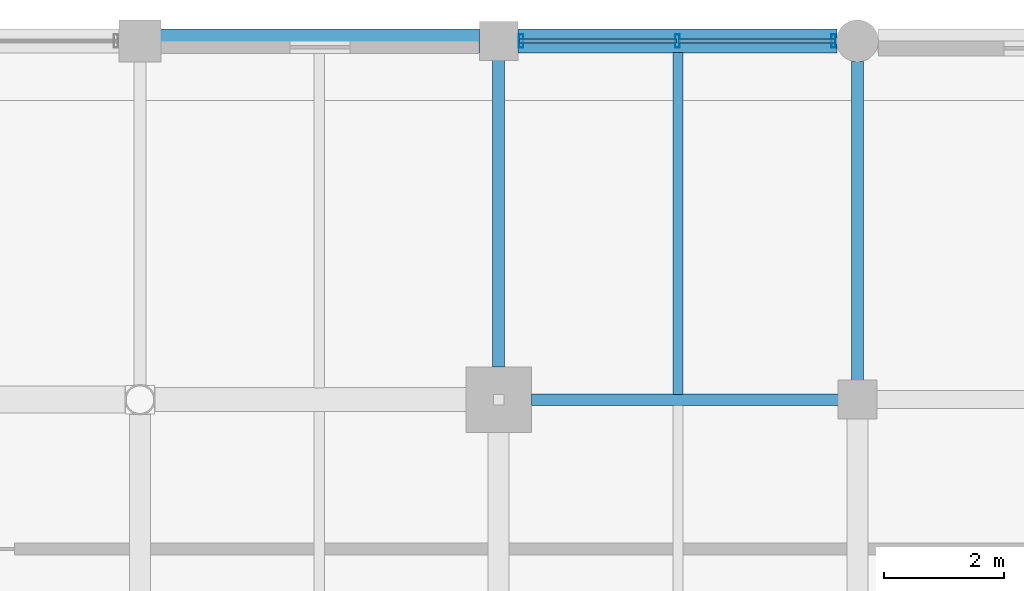
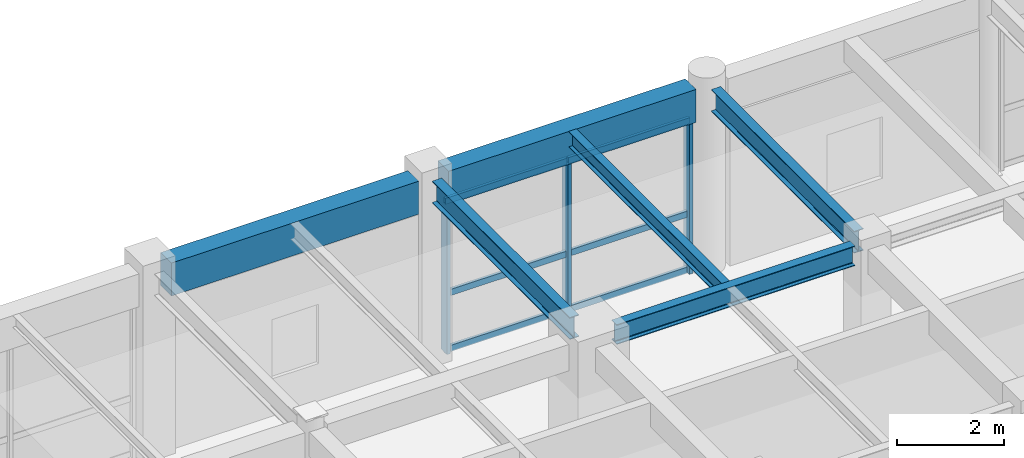
# One storey, part 46 of 116: 9 members, 6 beams, 1 element without a shape of its own.
"""IFC4 building model written with IfcOpenShell, lengths in metres."""

from ifc_helpers import new_model, si_unit, direction, frame, origin, origin_2d, place, context, subcontext, project, spatial, rectangle, hollow_rectangle, i_section, extrude, material, material_profile, profile_set, type_object, element, aggregate, save


model = new_model("IFC4")

# Units and contexts
model_context = context("Model", 3, precision=1e-05, world=origin(), true_north=direction((0.0, 1.0)))
body_context = subcontext(model_context, "Body", "Model", "MODEL_VIEW")
ifc_project = project(units=[si_unit("LENGTHUNIT", "METRE"), si_unit("AREAUNIT", "SQUARE_METRE"), si_unit("VOLUMEUNIT", "CUBIC_METRE"), si_unit("PLANEANGLEUNIT", "RADIAN"), si_unit("MASSUNIT", "GRAM", prefix="KILO"), si_unit("THERMODYNAMICTEMPERATUREUNIT", "KELVIN"), si_unit("POWERUNIT", "WATT")], contexts=[model_context])

# Site, building, storey
site_placement = place(None, origin())
site = spatial("IfcSite", under=ifc_project, at=site_placement, CompositionType="ELEMENT")
building_placement = place(site_placement, origin())
building = spatial("IfcBuilding", under=site, at=building_placement, Name="Phaisarnlok Congress Hotel", CompositionType="ELEMENT")
storey_placement = place(building_placement, frame((0.0, 0.0, 10.5)))
storey = spatial("IfcBuildingStorey", under=building, at=storey_placement, Name="L02", CompositionType="ELEMENT", Elevation=10.5)

# Beams
ifc_material_1 = material(Name="Steel S355", Category="steel")
ifc_material_profile_1 = material_profile(ifc_material_1, i_section(OverallWidth=0.18994140625, OverallDepth=0.449951171875, WebThickness=0.009521484375, FlangeThickness=0.0146484375, FilletRadius=0.02099609375, at=origin_2d()), Name="IPE 450")
ifc_profile_set_1 = profile_set([ifc_material_profile_1], Name="Steel S355")
beam_type_1 = type_object("IfcBeamType", Name="BM-STL-IPE450", PredefinedType="BEAM", material=ifc_profile_set_1)
beam_1_placement = place(storey_placement, frame((120.544921875, 120.0, 4.014892578125), z_axis=(1.0, 0.0, 0.0), x_axis=(0.0, 1.0, 0.0)))
element("IfcBeam", 1, at=beam_1_placement, inside=storey, type_object=beam_type_1, Name="Beam SB-01", PredefinedType="BEAM", context=body_context, shape_type="SweptSolid", body=[
    extrude(i_section(OverallWidth=0.18994140625, OverallDepth=0.449951171875, WebThickness=0.009521484375, FlangeThickness=0.0146484375, FilletRadius=0.02099609375, at=origin_2d()), origin(), (0.0, 0.0, 1.0), 5.135009765625),
])
ifc_material_profile_2 = material_profile(ifc_material_1, i_section(OverallWidth=0.199951171875, OverallDepth=0.5, WebThickness=0.01025390625, FlangeThickness=0.01611328125, FilletRadius=0.02099609375, at=origin_2d()), Name="IPE 500")
ifc_profile_set_2 = profile_set([ifc_material_profile_2], Name="Steel S355")
beam_type_2 = type_object("IfcBeamType", Name="BM-STL-IPE500", PredefinedType="BEAM", material=ifc_profile_set_2)
beam_2_placement = place(storey_placement, frame((120.0, 120.544921875, 3.989990234375), z_axis=(0.0, 1.0, 0.0), x_axis=(-1.0, 0.0, 0.0)))
element("IfcBeam", 2, at=beam_2_placement, inside=storey, type_object=beam_type_2, Name="Beam SB-02", PredefinedType="BEAM", context=body_context, shape_type="SweptSolid", body=[
    extrude(i_section(OverallWidth=0.199951171875, OverallDepth=0.5, WebThickness=0.01025390625, FlangeThickness=0.01611328125, FilletRadius=0.02099609375, at=origin_2d()), origin(), (0.0, 0.0, 1.0), 5.135009765625),
])
beam_3_placement = place(storey_placement, frame((126.0, 120.320068359375, 3.989990234375), z_axis=(0.0, 1.0, 0.0), x_axis=(-1.0, 0.0, 0.0)))
element("IfcBeam", 3, at=beam_3_placement, inside=storey, type_object=beam_type_2, Name="Beam SB-02", PredefinedType="BEAM", context=body_context, shape_type="SweptSolid", body=[
    extrude(i_section(OverallWidth=0.199951171875, OverallDepth=0.5, WebThickness=0.01025390625, FlangeThickness=0.01611328125, FilletRadius=0.02099609375, at=origin_2d()), origin(), (0.0, 0.0, 1.0), 5.3349609375),
])

# Curtain wall, members
ifc_material_2 = material(Name="Thermally Broken Unitised Aluminium & Low-E Glazing", Category="aluminium")
curtain_wall_type = type_object("IfcCurtainWallType", Name="CW-UNIT-16", PredefinedType="NOTDEFINED", material=ifc_material_2)
curtain_wall_placement = place(storey_placement, origin())
curtain_wall = element("IfcCurtainWall", 4, at=curtain_wall_placement, inside=storey, type_object=curtain_wall_type, Name="Unitised curtain wall CW-16 (L02)", PredefinedType="NOTDEFINED")
ifc_material_3 = material(Name="Anodised Aluminium Alloy 6063-T6", Category="aluminium")
ifc_material_profile_3 = material_profile(ifc_material_3, hollow_rectangle(XDim=0.074951171875, YDim=0.219970703125, WallThickness=0.0048828125, at=origin_2d()), Name="ALU-M 75x220x5")
ifc_profile_set_3 = profile_set([ifc_material_profile_3], Name="Anodised Aluminium Alloy 6063-T6")
member_type_1 = type_object("IfcMemberType", Name="CWM-220", PredefinedType="MULLION", material=ifc_profile_set_3)
member_1_placement = place(storey_placement, frame((125.60009765625, 126.0, 0.0), z_axis=(0.0, 0.0, 1.0), x_axis=(-1.0, 0.0, 0.0)))
member_1 = element("IfcMember", 5, at=member_1_placement, type_object=member_type_1, Name="Curtain wall mullion CWM-02", PredefinedType="MULLION", context=body_context, shape_type="SweptSolid", body=[
    extrude(hollow_rectangle(XDim=0.074951171875, YDim=0.219970703125, WallThickness=0.0048828125, at=origin_2d()), origin(), (0.0, 0.0, 1.0), 3.489990234375),
])
member_2_placement = place(storey_placement, frame((122.987548828125, 126.0, 0.0), z_axis=(0.0, 0.0, 1.0), x_axis=(-1.0, 0.0, 0.0)))
member_2 = element("IfcMember", 6, at=member_2_placement, type_object=member_type_1, Name="Curtain wall mullion CWM-02", PredefinedType="MULLION", context=body_context, shape_type="SweptSolid", body=[
    extrude(hollow_rectangle(XDim=0.074951171875, YDim=0.219970703125, WallThickness=0.0048828125, at=origin_2d()), origin(), (0.0, 0.0, 1.0), 3.489990234375),
])
member_3_placement = place(storey_placement, frame((120.375, 126.0, 0.0), z_axis=(0.0, 0.0, 1.0), x_axis=(-1.0, 0.0, 0.0)))
member_3 = element("IfcMember", 7, at=member_3_placement, type_object=member_type_1, Name="Curtain wall mullion CWM-02", PredefinedType="MULLION", context=body_context, shape_type="SweptSolid", body=[
    extrude(hollow_rectangle(XDim=0.074951171875, YDim=0.219970703125, WallThickness=0.0048828125, at=origin_2d()), origin(), (0.0, 0.0, 1.0), 3.489990234375),
])
ifc_material_profile_4 = material_profile(ifc_material_3, hollow_rectangle(XDim=0.06494140625, YDim=0.139892578125, WallThickness=0.00390625, at=origin_2d()), Name="ALU-T 65x140x4")
ifc_profile_set_4 = profile_set([ifc_material_profile_4], Name="Anodised Aluminium Alloy 6063-T6")
member_type_2 = type_object("IfcMemberType", Name="CWT-150", PredefinedType="USERDEFINED", material=ifc_profile_set_4)
member_4_placement = place(storey_placement, frame((125.625, 126.0, 0.050048828125), z_axis=(-1.0, 0.0, 0.0), x_axis=(0.0, -1.0, 0.0)))
member_4 = element("IfcMember", 8, at=member_4_placement, type_object=member_type_2, Name="Curtain wall transom CWT-01", ObjectType="TRANSOM", PredefinedType="USERDEFINED", context=body_context, shape_type="SweptSolid", body=[
    extrude(hollow_rectangle(XDim=0.06494140625, YDim=0.139892578125, WallThickness=0.00390625, at=origin_2d()), origin(), (0.0, 0.0, 1.0), 2.62255859375),
])
member_5_placement = place(storey_placement, frame((125.625, 126.0, 1.326171875), z_axis=(-1.0, 0.0, 0.0), x_axis=(0.0, -1.0, 0.0)))
member_5 = element("IfcMember", 9, at=member_5_placement, type_object=member_type_2, Name="Curtain wall transom CWT-01", ObjectType="TRANSOM", PredefinedType="USERDEFINED", context=body_context, shape_type="SweptSolid", body=[
    extrude(hollow_rectangle(XDim=0.06494140625, YDim=0.139892578125, WallThickness=0.00390625, at=origin_2d()), origin(), (0.0, 0.0, 1.0), 2.62255859375),
])
member_6_placement = place(storey_placement, frame((125.625, 126.0, 3.43994140625), z_axis=(-1.0, 0.0, 0.0), x_axis=(0.0, -1.0, 0.0)))
member_6 = element("IfcMember", 10, at=member_6_placement, type_object=member_type_2, Name="Curtain wall transom CWT-01", ObjectType="TRANSOM", PredefinedType="USERDEFINED", context=body_context, shape_type="SweptSolid", body=[
    extrude(hollow_rectangle(XDim=0.06494140625, YDim=0.139892578125, WallThickness=0.00390625, at=origin_2d()), origin(), (0.0, 0.0, 1.0), 2.62255859375),
])
member_7_placement = place(storey_placement, frame((122.972412109375, 126.0, 0.050048828125), z_axis=(-1.0, 0.0, 0.0), x_axis=(0.0, -1.0, 0.0)))
member_7 = element("IfcMember", 11, at=member_7_placement, type_object=member_type_2, Name="Curtain wall transom CWT-01", ObjectType="TRANSOM", PredefinedType="USERDEFINED", context=body_context, shape_type="SweptSolid", body=[
    extrude(hollow_rectangle(XDim=0.06494140625, YDim=0.139892578125, WallThickness=0.00390625, at=origin_2d()), origin(), (0.0, 0.0, 1.0), 2.622314453125),
])
member_8_placement = place(storey_placement, frame((122.972412109375, 126.0, 1.326171875), z_axis=(-1.0, 0.0, 0.0), x_axis=(0.0, -1.0, 0.0)))
member_8 = element("IfcMember", 12, at=member_8_placement, type_object=member_type_2, Name="Curtain wall transom CWT-01", ObjectType="TRANSOM", PredefinedType="USERDEFINED", context=body_context, shape_type="SweptSolid", body=[
    extrude(hollow_rectangle(XDim=0.06494140625, YDim=0.139892578125, WallThickness=0.00390625, at=origin_2d()), origin(), (0.0, 0.0, 1.0), 2.622314453125),
])
member_9_placement = place(storey_placement, frame((122.972412109375, 126.0, 3.43994140625), z_axis=(-1.0, 0.0, 0.0), x_axis=(0.0, -1.0, 0.0)))
member_9 = element("IfcMember", 13, at=member_9_placement, type_object=member_type_2, Name="Curtain wall transom CWT-01", ObjectType="TRANSOM", PredefinedType="USERDEFINED", context=body_context, shape_type="SweptSolid", body=[
    extrude(hollow_rectangle(XDim=0.06494140625, YDim=0.139892578125, WallThickness=0.00390625, at=origin_2d()), origin(), (0.0, 0.0, 1.0), 2.622314453125),
])
aggregate(curtain_wall, [member_1, member_2, member_3, member_4, member_5, member_6, member_7, member_8, member_9])

# Beams
ifc_material_profile_5 = material_profile(ifc_material_1, i_section(OverallWidth=0.169921875, OverallDepth=0.360107421875, WebThickness=0.008056640625, FlangeThickness=0.0126953125, FilletRadius=0.01806640625, at=origin_2d()), Name="IPE 360")
ifc_profile_set_5 = profile_set([ifc_material_profile_5], Name="Steel S355")
beam_type_3 = type_object("IfcBeamType", Name="JS-STL-IPE360", PredefinedType="JOIST", material=ifc_profile_set_5)
beam_4_placement = place(storey_placement, frame((123.0, 120.090087890625, 4.06005859375), z_axis=(0.0, 1.0, 0.0), x_axis=(-1.0, 0.0, 0.0)))
element("IfcBeam", 14, at=beam_4_placement, inside=storey, type_object=beam_type_3, Name="Secondary floor joist J-04", PredefinedType="JOIST", context=body_context, shape_type="SweptSolid", body=[
    extrude(i_section(OverallWidth=0.169921875, OverallDepth=0.360107421875, WebThickness=0.008056640625, FlangeThickness=0.0126953125, FilletRadius=0.01806640625, at=origin_2d()), origin(), (0.0, 0.0, 1.0), 5.71484375),
])
ifc_material_4 = material(Name="Concrete C40/50", Category="concrete")
ifc_material_profile_6 = material_profile(ifc_material_4, rectangle(XDim=0.39990234375, YDim=0.75, at=origin_2d()), Name="RC 400x750")
ifc_profile_set_6 = profile_set([ifc_material_profile_6], Name="Concrete C40/50")
beam_type_4 = type_object("IfcBeamType", Name="SP-RC-400x750", PredefinedType="SPANDREL", material=ifc_profile_set_6)
for number, where, z_axis, x_axis, name in (
    (15, (114.344970703125, 126.0, 3.864990234375), (1.0, 0.0, 0.0), (0.0, 1.0, 0.0), "Beam SP-02"),
    (16, (120.320068359375, 126.0, 3.864990234375), (1.0, 0.0, 0.0), (0.0, 1.0, 0.0), "Beam SP-02"),
):
    element("IfcBeam", number, at=place(storey_placement, frame(where, z_axis=z_axis, x_axis=x_axis)), inside=storey, type_object=beam_type_4, Name=name, PredefinedType="SPANDREL", context=body_context, shape_type="SweptSolid", body=[
        extrude(rectangle(XDim=0.39990234375, YDim=0.75, at=origin_2d()), origin(), (0.0, 0.0, 1.0), 5.3349609375),
    ])

save(model, "model.ifc")
